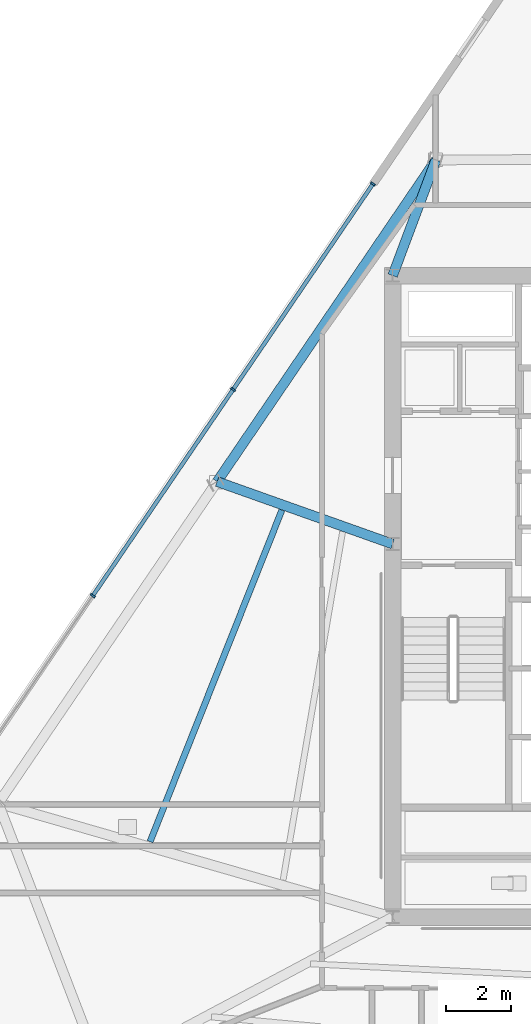
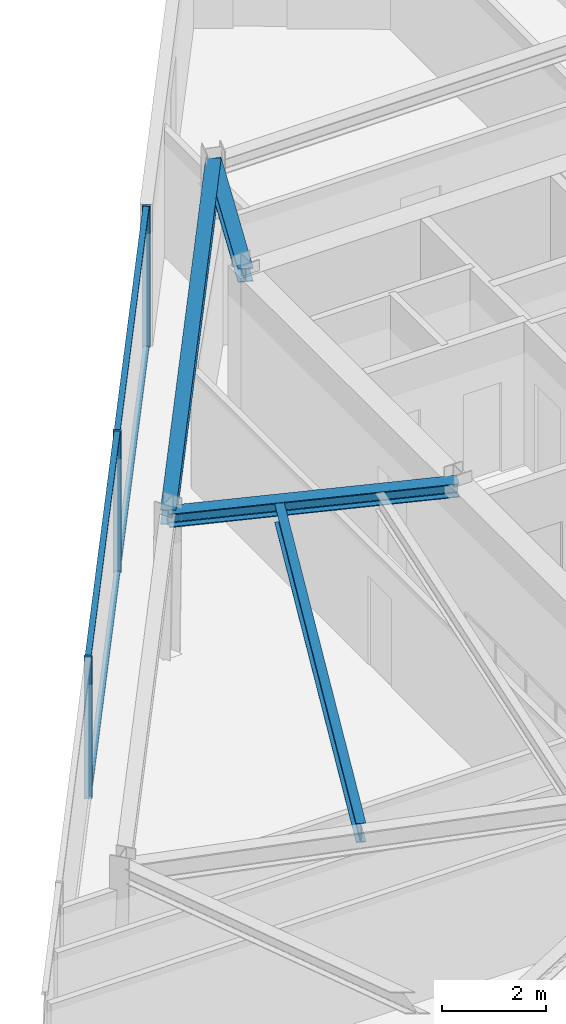
# One storey, part 4 of 15: 7 members, 4 beams, 1 element without a shape of its own.
"""IFC4 building model written with IfcOpenShell, lengths in metres."""

from ifc_helpers import new_model, si_unit, direction, frame, origin, origin_2d, place, context, subcontext, project, spatial, rectangle, i_section, extrude, material, material_profile, profile_set, type_object, element, aggregate, save


model = new_model("IFC4")

# Units and contexts
model_context = context("Model", 3, precision=1e-05, world=origin(), true_north=direction((0.0, 1.0)))
body_context = subcontext(model_context, "Body", "Model", "MODEL_VIEW")
ifc_project = project(units=[si_unit("LENGTHUNIT", "METRE"), si_unit("AREAUNIT", "SQUARE_METRE"), si_unit("VOLUMEUNIT", "CUBIC_METRE"), si_unit("PLANEANGLEUNIT", "RADIAN"), si_unit("MASSUNIT", "GRAM", prefix="KILO")], contexts=[model_context])

# Site, building, storey
site_placement = place(None, origin())
site = spatial("IfcSite", under=ifc_project, at=site_placement, CompositionType="ELEMENT")
building_placement = place(site_placement, origin())
building = spatial("IfcBuilding", under=site, at=building_placement, Name="Savorim Split Tower", CompositionType="ELEMENT")
storey_placement = place(building_placement, frame((0.0, 0.0, 212.699951171875)))
storey = spatial("IfcBuildingStorey", under=building, at=storey_placement, Name="L56", CompositionType="ELEMENT", Elevation=212.699951171875)

# Beams
ifc_material_1 = material(Name="Steel S355", Category="steel")
ifc_material_profile_1 = material_profile(ifc_material_1, i_section(OverallWidth=0.18994140625, OverallDepth=0.449951171875, WebThickness=0.009521484375, FlangeThickness=0.0146484375, FilletRadius=0.02099609375, at=origin_2d()), Name="IPE 450")
ifc_profile_set_1 = profile_set([ifc_material_profile_1], Name="Steel S355")
beam_type_1 = type_object("IfcBeamType", Name="BM-JST-IPE450", PredefinedType="JOIST", material=ifc_profile_set_1)
beam_1_placement = place(storey_placement, frame((-11.08349609375, 3.032958984375, 3.125), z_axis=(-0.369482176064, -0.929237817553, 0.0), x_axis=(0.929237817553, -0.369482176064, 0.0)))
element("IfcBeam", 1, at=beam_1_placement, inside=storey, type_object=beam_type_1, Name="L56 Secondary Floor Joist JS-10", PredefinedType="JOIST", context=body_context, shape_type="SweptSolid", body=[
    extrude(i_section(OverallWidth=0.18994140625, OverallDepth=0.449951171875, WebThickness=0.009521484375, FlangeThickness=0.0146484375, FilletRadius=0.02099609375, at=origin_2d()), origin(), (0.0, 0.0, 1.0), 10.89990234375),
])
ifc_material_profile_2 = material_profile(ifc_material_1, i_section(OverallWidth=0.300048828125, OverallDepth=0.320068359375, WebThickness=0.011474609375, FlangeThickness=0.0205078125, FilletRadius=0.027099609375, at=origin_2d()), Name="HEB 320")
ifc_profile_set_2 = profile_set([ifc_material_profile_2], Name="Steel S355")
beam_type_2 = type_object("IfcBeamType", Name="BM-PRI-HEB320", PredefinedType="BEAM", material=ifc_profile_set_2)
beam_2_placement = place(storey_placement, frame((-6.37548828125, 13.734619140625, 3.18994140625), z_axis=(-0.350882435015, -0.936419519659, 0.0), x_axis=(0.936419519659, -0.350882435015, 0.0)))
element("IfcBeam", 2, at=beam_2_placement, inside=storey, type_object=beam_type_2, Name="L56 Primary Floor Girder RG-08", PredefinedType="BEAM", context=body_context, shape_type="SweptSolid", body=[
    extrude(i_section(OverallWidth=0.300048828125, OverallDepth=0.320068359375, WebThickness=0.011474609375, FlangeThickness=0.0205078125, FilletRadius=0.027099609375, at=origin_2d()), origin(), (0.0, 0.0, 1.0), 3.774658203125),
])
beam_3_placement = place(storey_placement, frame((-13.06201171875, 3.90576171875, 3.18994140625), z_axis=(0.942256212007, -0.33489286486, 0.0), x_axis=(0.33489286486, 0.942256212007, 0.0)))
element("IfcBeam", 3, at=beam_3_placement, inside=storey, type_object=beam_type_2, Name="L56 Primary Floor Girder RG-09", PredefinedType="BEAM", context=body_context, shape_type="SweptSolid", body=[
    extrude(i_section(OverallWidth=0.300048828125, OverallDepth=0.320068359375, WebThickness=0.011474609375, FlangeThickness=0.0205078125, FilletRadius=0.027099609375, at=origin_2d()), origin(), (0.0, 0.0, 1.0), 5.690673828125),
])
ifc_material_profile_3 = material_profile(ifc_material_1, i_section(OverallWidth=0.300048828125, OverallDepth=0.35009765625, WebThickness=0.010009765625, FlangeThickness=0.017578125, FilletRadius=0.027099609375, at=origin_2d()), Name="HEA 360")
ifc_profile_set_3 = profile_set([ifc_material_profile_3], Name="Steel S355")
beam_type_3 = type_object("IfcBeamType", Name="BM-SPN-HEA360", PredefinedType="SPANDREL", material=ifc_profile_set_3)
beam_4_placement = place(storey_placement, frame((-6.37548828125, 13.734619140625, 3.175048828125), z_axis=(-0.562476847816, -0.826813035499, 0.0), x_axis=(0.826813035499, -0.562476847816, 0.0)))
element("IfcBeam", 4, at=beam_4_placement, inside=storey, type_object=beam_type_3, Name="L56 Perimeter Spandrel Beam 8", PredefinedType="SPANDREL", context=body_context, shape_type="SweptSolid", body=[
    extrude(i_section(OverallWidth=0.300048828125, OverallDepth=0.35009765625, WebThickness=0.010009765625, FlangeThickness=0.017578125, FilletRadius=0.027099609375, at=origin_2d()), origin(), (0.0, 0.0, 1.0), 11.8876953125),
])

# Curtain wall, members
ifc_material_2 = material(Name="Dark Ceramic-Fritted Insulated Glass", Category="glass")
curtain_wall_type = type_object("IfcCurtainWallType", Name="CW-TWR-FRIT-B", PredefinedType="NOTDEFINED", material=ifc_material_2)
curtain_wall_placement = place(storey_placement, origin())
curtain_wall = element("IfcCurtainWall", 5, at=curtain_wall_placement, inside=storey, type_object=curtain_wall_type, Name="L56 Curtain Wall CW-L56-WEST", PredefinedType="NOTDEFINED")
ifc_material_3 = material(Name="Charcoal Anodised Aluminium", Category="aluminium")
ifc_material_profile_4 = material_profile(ifc_material_3, rectangle(XDim=0.159912109375, YDim=0.06005859375, at=origin_2d()), Name="ALU-M 160x60")
ifc_profile_set_4 = profile_set([ifc_material_profile_4], Name="Charcoal Anodised Aluminium")
member_type_1 = type_object("IfcMemberType", Name="CWM-160x60", PredefinedType="MULLION", material=ifc_profile_set_4)
member_1_placement = place(storey_placement, frame((-8.30078125, 13.0009765625, 0.0), z_axis=(0.0, 0.0, 1.0), x_axis=(0.826820907104, -0.562465276773, 0.0)))
member_1 = element("IfcMember", 6, at=member_1_placement, type_object=member_type_1, Name="CW-03 mullion 1", PredefinedType="MULLION", context=body_context, shape_type="SweptSolid", body=[
    extrude(rectangle(XDim=0.159912109375, YDim=0.06005859375, at=origin_2d()), origin(), (0.0, 0.0, 1.0), 3.35009765625),
])
member_2_placement = place(storey_placement, frame((-12.57177734375, 6.72265625, 0.0), z_axis=(0.0, 0.0, 1.0), x_axis=(0.826820907104, -0.562465276773, 0.0)))
member_2 = element("IfcMember", 7, at=member_2_placement, type_object=member_type_1, Name="CW-03 mullion 2", PredefinedType="MULLION", context=body_context, shape_type="SweptSolid", body=[
    extrude(rectangle(XDim=0.159912109375, YDim=0.06005859375, at=origin_2d()), origin(), (0.0, 0.0, 1.0), 3.35009765625),
])
member_3_placement = place(storey_placement, frame((-16.85986328125, 0.419189453125, 0.0), z_axis=(0.0, 0.0, 1.0), x_axis=(0.826820907104, -0.562465276773, 0.0)))
member_3 = element("IfcMember", 8, at=member_3_placement, type_object=member_type_1, Name="CW-03 mullion 3", PredefinedType="MULLION", context=body_context, shape_type="SweptSolid", body=[
    extrude(rectangle(XDim=0.159912109375, YDim=0.06005859375, at=origin_2d()), origin(), (0.0, 0.0, 1.0), 3.35009765625),
])
ifc_material_profile_5 = material_profile(ifc_material_3, rectangle(XDim=0.1201171875, YDim=0.050048828125, at=origin_2d()), Name="ALU-T 120x50")
ifc_profile_set_5 = profile_set([ifc_material_profile_5], Name="Charcoal Anodised Aluminium")
member_type_2 = type_object("IfcMemberType", Name="CWT-120x50", PredefinedType="USERDEFINED", material=ifc_profile_set_5)
member_4_placement = place(storey_placement, frame((-8.317626953125, 12.976318359375, 0.025146484375), z_axis=(-0.562453610104, -0.826828843523, 0.0), x_axis=(0.826828843523, -0.562453610104, 0.0)))
member_4 = element("IfcMember", 9, at=member_4_placement, type_object=member_type_2, Name="CW-03 transom 1.1", ObjectType="TRANSOM", PredefinedType="USERDEFINED", context=body_context, shape_type="SweptSolid", body=[
    extrude(rectangle(XDim=0.1201171875, YDim=0.050048828125, at=origin_2d()), origin(), (0.0, 0.0, 1.0), 7.53369140625),
])
member_5_placement = place(storey_placement, frame((-8.317626953125, 12.976318359375, 3.324951171875), z_axis=(-0.562453610104, -0.826828843523, 0.0), x_axis=(0.826828843523, -0.562453610104, 0.0)))
member_5 = element("IfcMember", 10, at=member_5_placement, type_object=member_type_2, Name="CW-03 transom 1.2", ObjectType="TRANSOM", PredefinedType="USERDEFINED", context=body_context, shape_type="SweptSolid", body=[
    extrude(rectangle(XDim=0.1201171875, YDim=0.050048828125, at=origin_2d()), origin(), (0.0, 0.0, 1.0), 7.53369140625),
])
member_6_placement = place(storey_placement, frame((-12.588623046875, 6.69775390625, 0.025146484375), z_axis=(-0.562460105571, -0.826824424918, 0.0), x_axis=(0.826824424918, -0.562460105571, 0.0)))
member_6 = element("IfcMember", 11, at=member_6_placement, type_object=member_type_2, Name="CW-03 transom 2.1", ObjectType="TRANSOM", PredefinedType="USERDEFINED", context=body_context, shape_type="SweptSolid", body=[
    extrude(rectangle(XDim=0.1201171875, YDim=0.050048828125, at=origin_2d()), origin(), (0.0, 0.0, 1.0), 7.5634765625),
])
member_7_placement = place(storey_placement, frame((-12.588623046875, 6.69775390625, 3.324951171875), z_axis=(-0.562460105571, -0.826824424918, 0.0), x_axis=(0.826824424918, -0.562460105571, 0.0)))
member_7 = element("IfcMember", 12, at=member_7_placement, type_object=member_type_2, Name="CW-03 transom 2.2", ObjectType="TRANSOM", PredefinedType="USERDEFINED", context=body_context, shape_type="SweptSolid", body=[
    extrude(rectangle(XDim=0.1201171875, YDim=0.050048828125, at=origin_2d()), origin(), (0.0, 0.0, 1.0), 7.5634765625),
])
aggregate(curtain_wall, [member_1, member_2, member_3, member_4, member_5, member_6, member_7])

save(model, "model.ifc")
